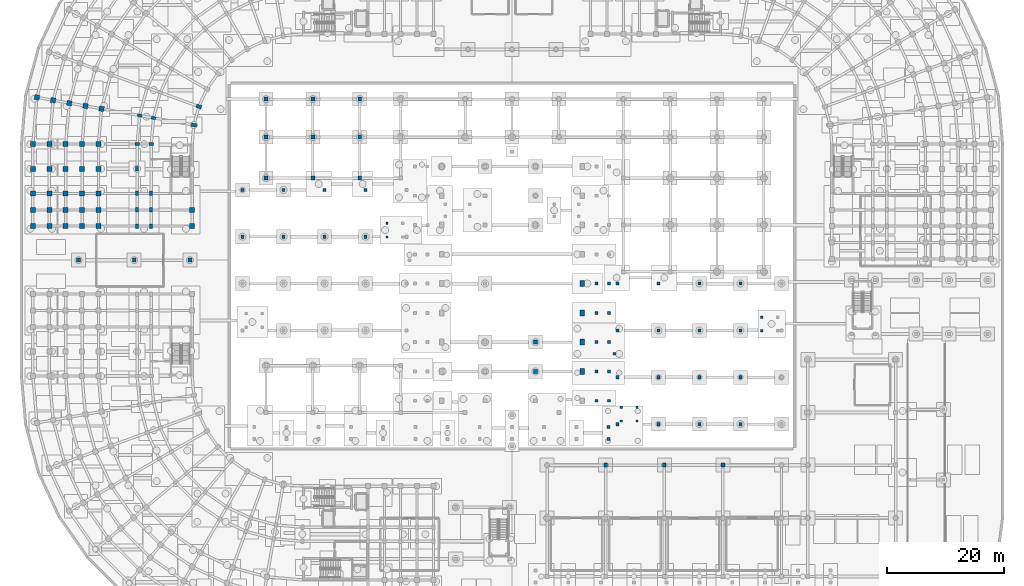
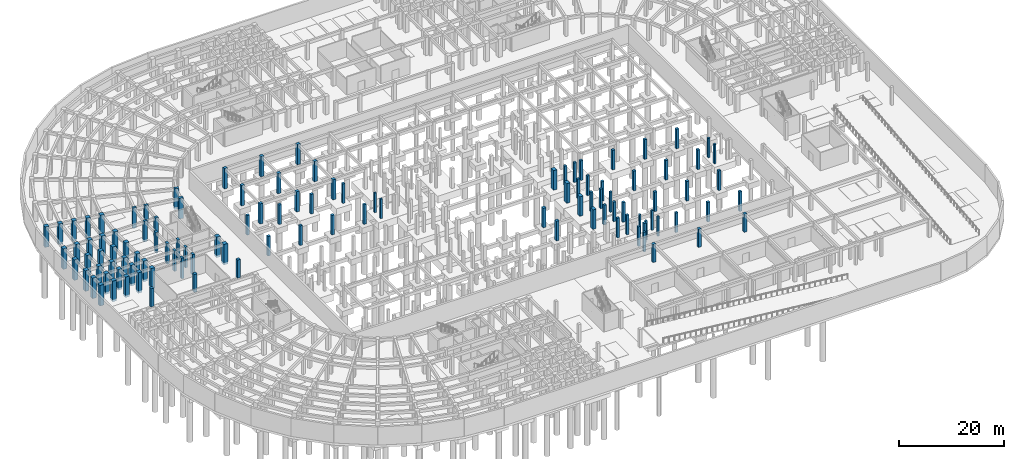
# One storey, part 14 of 53: 111 columns.
"""IFC4 building model written with IfcOpenShell, lengths in metres."""

from ifc_helpers import new_model, si_unit, direction, frame, origin, origin_2d, place, context, subcontext, project, spatial, rectangle, extrude, material, material_profile, profile_set, type_object, element, save


model = new_model("IFC4")

# Units and contexts
model_context = context("Model", 3, precision=1e-05, world=origin(), true_north=direction((0.0, 1.0)))
body_context = subcontext(model_context, "Body", "Model", "MODEL_VIEW")
ifc_project = project(units=[si_unit("LENGTHUNIT", "METRE"), si_unit("AREAUNIT", "SQUARE_METRE"), si_unit("VOLUMEUNIT", "CUBIC_METRE"), si_unit("PLANEANGLEUNIT", "RADIAN"), si_unit("MASSUNIT", "GRAM", prefix="KILO")], contexts=[model_context])

# Site, building, storey
site_placement = place(None, origin())
site = spatial("IfcSite", under=ifc_project, at=site_placement, CompositionType="ELEMENT")
building_placement = place(site_placement, origin())
building = spatial("IfcBuilding", under=site, at=building_placement, Name="Kiranvali Square Residences", CompositionType="ELEMENT")
storey_placement = place(building_placement, frame((0.0, 0.0, -4.5)))
storey = spatial("IfcBuildingStorey", under=building, at=storey_placement, Name="B1", CompositionType="ELEMENT", Elevation=-4.5)

# Columns
ifc_material_1 = material(Name="Concrete M40 (40 MPa)", Category="concrete")
ifc_material_profile_1 = material_profile(ifc_material_1, rectangle(XDim=0.39990234375, YDim=0.39990234375, at=origin_2d()), Name="RC 400x400")
ifc_profile_set_1 = profile_set([ifc_material_profile_1], Name="Concrete M40 (40 MPa)")
column_type_1 = type_object("IfcColumnType", Name="COL-M40-400", PredefinedType="COLUMN", material=ifc_profile_set_1)
for number, where, z_axis, x_axis, name in (
    (1, (62.64990234375, 71.949951171875, -0.5), (0.0, 0.0, 1.0), (1.0, 0.0, 0.0), "ST-NR2 B1 substructure support column 1"),
    (2, (62.64990234375, 74.280029296875, -0.5), (0.0, 0.0, 1.0), (1.0, 0.0, 0.0), "ST-NR2 B1 substructure support column 3"),
    (3, (102.64990234375, 40.550048828125, -0.5), (0.0, 0.0, 1.0), (1.0, 0.0, 0.0), "ST-RT1 B1 substructure support column 1"),
    (4, (105.35009765625, 40.550048828125, -0.5), (0.0, 0.0, 1.0), (1.0, 0.0, 0.0), "ST-RT1 B1 substructure support column 2"),
    (5, (102.64990234375, 42.8798828125, -0.5), (0.0, 0.0, 1.0), (1.0, 0.0, 0.0), "ST-RT1 B1 substructure support column 3"),
    (6, (105.35009765625, 42.8798828125, -0.5), (0.0, 0.0, 1.0), (1.0, 0.0, 0.0), "ST-RT1 B1 substructure support column 4"),
    (7, (126.64990234375, 55.949951171875, -0.5), (0.0, 0.0, 1.0), (1.0, 0.0, 0.0), "ST-RT2 B1 substructure support column 1"),
    (8, (126.64990234375, 58.280029296875, -0.5), (0.0, 0.0, 1.0), (1.0, 0.0, 0.0), "ST-RT2 B1 substructure support column 3"),
):
    element("IfcColumn", number, at=place(storey_placement, frame(where, z_axis=z_axis, x_axis=x_axis)), inside=storey, type_object=column_type_1, Name=name, PredefinedType="COLUMN", context=body_context, shape_type="SweptSolid", body=[
        extrude(rectangle(XDim=0.39990234375, YDim=0.39990234375, at=origin_2d()), origin(), (0.0, 0.0, 1.0), 4.550048828125),
    ])
ifc_material_profile_2 = material_profile(ifc_material_1, rectangle(XDim=0.449951171875, YDim=0.449951171875, at=origin_2d()), Name="RC 450x450")
ifc_profile_set_2 = profile_set([ifc_material_profile_2], Name="Concrete M40 (40 MPa)")
column_type_2 = type_object("IfcColumnType", Name="COL-M40-450", PredefinedType="COLUMN", material=ifc_profile_set_2)
column_placement = place(storey_placement, frame((101.5, 52.0, -0.5), z_axis=(0.0, 0.0, 1.0), x_axis=(1.0, 0.0, 0.0)))
element("IfcColumn", 9, at=column_placement, inside=storey, type_object=column_type_2, Name="Courtyard ramp substructure column 3", PredefinedType="COLUMN", context=body_context, shape_type="SweptSolid", body=[
    extrude(rectangle(XDim=0.449951171875, YDim=0.449951171875, at=origin_2d()), origin(), (0.0, 0.0, 1.0), 4.699951171875),
])
ifc_material_profile_3 = material_profile(ifc_material_1, rectangle(XDim=0.5, YDim=0.5, at=origin_2d()), Name="RC 500x500")
ifc_profile_set_3 = profile_set([ifc_material_profile_3], Name="Concrete M40 (40 MPa)")
column_type_3 = type_object("IfcColumnType", Name="COL-M40-500", PredefinedType="COLUMN", material=ifc_profile_set_3)
for number, where, z_axis, x_axis, name in (
    (10, (100.5, 37.449951171875, -0.5), (0.0, 0.0, 1.0), (1.0, 0.0, 0.0), "Garden colonnade B1 outer support column ARC-GDN-S-12A"),
    (11, (100.5, 39.550048828125, -0.5), (0.0, 0.0, 1.0), (1.0, 0.0, 0.0), "Garden colonnade B1 inner support column ARC-GDN-S-12B"),
    (12, (98.449951171875, 44.0, -0.5), (0.0, 0.0, 1.0), (1.0, 0.0, 0.0), "Garden colonnade B1 outer support column ARC-GDN-E-1A"),
    (13, (100.550048828125, 44.0, -0.5), (0.0, 0.0, 1.0), (1.0, 0.0, 0.0), "Garden colonnade B1 inner support column ARC-GDN-E-1B"),
    (14, (98.449951171875, 49.0, -0.5), (0.0, 0.0, 1.0), (1.0, 0.0, 0.0), "Garden colonnade B1 outer support column ARC-GDN-E-2A"),
    (15, (100.550048828125, 49.0, -0.5), (0.0, 0.0, 1.0), (1.0, 0.0, 0.0), "Garden colonnade B1 inner support column ARC-GDN-E-2B"),
    (16, (98.449951171875, 54.0, -0.5), (0.0, 0.0, 1.0), (1.0, 0.0, 0.0), "Garden colonnade B1 outer support column ARC-GDN-E-3A"),
    (17, (100.550048828125, 54.0, -0.5), (0.0, 0.0, 1.0), (1.0, 0.0, 0.0), "Garden colonnade B1 inner support column ARC-GDN-E-3B"),
    (18, (98.449951171875, 59.0, -0.5), (0.0, 0.0, 1.0), (1.0, 0.0, 0.0), "Garden colonnade B1 outer support column ARC-GDN-E-4A"),
    (19, (100.550048828125, 59.0, -0.5), (0.0, 0.0, 1.0), (1.0, 0.0, 0.0), "Garden colonnade B1 inner support column ARC-GDN-E-4B"),
    (20, (98.449951171875, 64.0, -0.5), (0.0, 0.0, 1.0), (1.0, 0.0, 0.0), "Garden colonnade B1 outer support column ARC-GDN-E-5A"),
    (21, (100.550048828125, 64.0, -0.5), (0.0, 0.0, 1.0), (1.0, 0.0, 0.0), "Garden colonnade B1 inner support column ARC-GDN-E-5B"),
):
    element("IfcColumn", number, at=place(storey_placement, frame(where, z_axis=z_axis, x_axis=x_axis)), inside=storey, type_object=column_type_3, Name=name, PredefinedType="COLUMN", context=body_context, shape_type="SweptSolid", body=[
        extrude(rectangle(XDim=0.5, YDim=0.5, at=origin_2d()), origin(), (0.0, 0.0, 1.0), 4.550048828125),
    ])
ifc_material_profile_4 = material_profile(ifc_material_1, rectangle(XDim=0.550048828125, YDim=0.550048828125, at=origin_2d()), Name="RC 550x550")
ifc_profile_set_4 = profile_set([ifc_material_profile_4], Name="Concrete M40 (40 MPa)")
column_type_4 = type_object("IfcColumnType", Name="COL-M40-550", PredefinedType="COLUMN", material=ifc_profile_set_4)
for number, where, z_axis, x_axis, name in (
    (22, (38.0, 72.0, -0.5), (0.0, 0.0, 1.0), (1.0, 0.0, 0.0), "Nursery Pavilion B1 substructure column 0-2"),
    (23, (38.0, 80.0, -0.5), (0.0, 0.0, 1.0), (1.0, 0.0, 0.0), "Nursery Pavilion B1 substructure column 0-3"),
    (24, (45.0, 72.0, -0.5), (0.0, 0.0, 1.0), (1.0, 0.0, 0.0), "Nursery Pavilion B1 substructure column 1-2"),
    (25, (45.0, 80.0, -0.5), (0.0, 0.0, 1.0), (1.0, 0.0, 0.0), "Nursery Pavilion B1 substructure column 1-3"),
    (26, (52.0, 72.0, -0.5), (0.0, 0.0, 1.0), (1.0, 0.0, 0.0), "Nursery Pavilion B1 substructure column 2-2"),
    (27, (52.0, 80.0, -0.5), (0.0, 0.0, 1.0), (1.0, 0.0, 0.0), "Nursery Pavilion B1 substructure column 2-3"),
    (28, (59.0, 72.0, -0.5), (0.0, 0.0, 1.0), (1.0, 0.0, 0.0), "Nursery Pavilion B1 substructure column 3-2"),
    (29, (59.0, 80.0, -0.5), (0.0, 0.0, 1.0), (1.0, 0.0, 0.0), "Nursery Pavilion B1 substructure column 3-3"),
    (30, (102.0, 40.0, -0.5), (0.0, 0.0, 1.0), (1.0, 0.0, 0.0), "Southeast Square Retail Pavilion B1 substructure column 0-0"),
    (31, (102.0, 48.0, -0.5), (0.0, 0.0, 1.0), (1.0, 0.0, 0.0), "Southeast Square Retail Pavilion B1 substructure column 0-1"),
    (32, (102.0, 56.0, -0.5), (0.0, 0.0, 1.0), (1.0, 0.0, 0.0), "Southeast Square Retail Pavilion B1 substructure column 0-2"),
    (33, (102.0, 64.0, -0.5), (0.0, 0.0, 1.0), (1.0, 0.0, 0.0), "Southeast Square Retail Pavilion B1 substructure column 0-3"),
    (34, (109.0, 40.0, -0.5), (0.0, 0.0, 1.0), (1.0, 0.0, 0.0), "Southeast Square Retail Pavilion B1 substructure column 1-0"),
    (35, (109.0, 48.0, -0.5), (0.0, 0.0, 1.0), (1.0, 0.0, 0.0), "Southeast Square Retail Pavilion B1 substructure column 1-1"),
    (36, (109.0, 56.0, -0.5), (0.0, 0.0, 1.0), (1.0, 0.0, 0.0), "Southeast Square Retail Pavilion B1 substructure column 1-2"),
    (37, (109.0, 64.0, -0.5), (0.0, 0.0, 1.0), (1.0, 0.0, 0.0), "Southeast Square Retail Pavilion B1 substructure column 1-3"),
    (38, (116.0, 40.0, -0.5), (0.0, 0.0, 1.0), (1.0, 0.0, 0.0), "Southeast Square Retail Pavilion B1 substructure column 2-0"),
    (39, (116.0, 48.0, -0.5), (0.0, 0.0, 1.0), (1.0, 0.0, 0.0), "Southeast Square Retail Pavilion B1 substructure column 2-1"),
    (40, (116.0, 56.0, -0.5), (0.0, 0.0, 1.0), (1.0, 0.0, 0.0), "Southeast Square Retail Pavilion B1 substructure column 2-2"),
    (41, (116.0, 64.0, -0.5), (0.0, 0.0, 1.0), (1.0, 0.0, 0.0), "Southeast Square Retail Pavilion B1 substructure column 2-3"),
    (42, (123.0, 40.0, -0.5), (0.0, 0.0, 1.0), (1.0, 0.0, 0.0), "Southeast Square Retail Pavilion B1 substructure column 3-0"),
    (43, (123.0, 48.0, -0.5), (0.0, 0.0, 1.0), (1.0, 0.0, 0.0), "Southeast Square Retail Pavilion B1 substructure column 3-1"),
    (44, (123.0, 56.0, -0.5), (0.0, 0.0, 1.0), (1.0, 0.0, 0.0), "Southeast Square Retail Pavilion B1 substructure column 3-2"),
    (45, (123.0, 64.0, -0.5), (0.0, 0.0, 1.0), (1.0, 0.0, 0.0), "Southeast Square Retail Pavilion B1 substructure column 3-3"),
):
    element("IfcColumn", number, at=place(storey_placement, frame(where, z_axis=z_axis, x_axis=x_axis)), inside=storey, type_object=column_type_4, Name=name, PredefinedType="COLUMN", context=body_context, shape_type="SweptSolid", body=[
        extrude(rectangle(XDim=0.550048828125, YDim=0.550048828125, at=origin_2d()), origin(), (0.0, 0.0, 1.0), 4.550048828125),
    ])
ifc_material_2 = material(Name="Concrete M45 (45 MPa)", Category="concrete")
ifc_material_profile_5 = material_profile(ifc_material_2, rectangle(XDim=0.699951171875, YDim=1.0, at=origin_2d()), Name="RC 1000x700")
ifc_profile_set_5 = profile_set([ifc_material_profile_5], Name="Concrete M45 (45 MPa)")
column_type_5 = type_object("IfcColumnType", Name="COL-M45-1000x700", PredefinedType="COLUMN", material=ifc_profile_set_5)
for number, where, z_axis, x_axis, name in (
    (46, (96.0, 49.0, -0.5), (0.0, 0.0, 1.0), (1.0, 0.0, 0.0), "Community Hall substructure pier E2 B1"),
    (47, (96.0, 54.0, -0.5), (0.0, 0.0, 1.0), (1.0, 0.0, 0.0), "Community Hall substructure pier E3 B1"),
    (48, (96.0, 59.0, -0.5), (0.0, 0.0, 1.0), (1.0, 0.0, 0.0), "Community Hall substructure pier E4 B1"),
    (49, (96.0, 64.0, -0.5), (0.0, 0.0, 1.0), (1.0, 0.0, 0.0), "Community Hall substructure pier E5 B1"),
):
    element("IfcColumn", number, at=place(storey_placement, frame(where, z_axis=z_axis, x_axis=x_axis)), inside=storey, type_object=column_type_5, Name=name, PredefinedType="COLUMN", context=body_context, shape_type="SweptSolid", body=[
        extrude(rectangle(XDim=0.699951171875, YDim=1.0, at=origin_2d()), origin(), (0.0, 0.0, 1.0), 4.550048828125),
    ])
ifc_material_profile_6 = material_profile(ifc_material_2, rectangle(XDim=0.64990234375, YDim=0.64990234375, at=origin_2d()), Name="RC 650x650")
ifc_profile_set_6 = profile_set([ifc_material_profile_6], Name="Concrete M45 (45 MPa)")
column_type_6 = type_object("IfcColumnType", Name="COL-M45-650", PredefinedType="COLUMN", material=ifc_profile_set_6)
for number, where, z_axis, x_axis, name in (
    (50, (10.0, 68.0, 0.0), (0.0, 0.0, 1.0), (1.0, 0.0, 0.0), "Basement square substructure column APR-16"),
    (51, (19.5, 68.0, 0.0), (0.0, 0.0, 1.0), (1.0, 0.0, 0.0), "Basement square substructure column APR-17"),
    (52, (29.0, 68.0, 0.0), (0.0, 0.0, 1.0), (1.0, 0.0, 0.0), "Basement square substructure column APR-18"),
    (53, (100.0, 33.0, 0.0), (0.0, 0.0, 1.0), (1.0, 0.0, 0.0), "Basement square substructure column APR-34"),
    (54, (110.0, 33.0, 0.0), (0.0, 0.0, 1.0), (1.0, 0.0, 0.0), "Basement square substructure column APR-35"),
    (55, (120.0, 33.0, 0.0), (0.0, 0.0, 1.0), (1.0, 0.0, 0.0), "Basement square substructure column APR-36"),
):
    element("IfcColumn", number, at=place(storey_placement, frame(where, z_axis=z_axis, x_axis=x_axis)), inside=storey, type_object=column_type_6, Name=name, PredefinedType="COLUMN", context=body_context, shape_type="SweptSolid", body=[
        extrude(rectangle(XDim=0.64990234375, YDim=0.64990234375, at=origin_2d()), origin(), (0.0, 0.0, 1.0), 4.199951171875),
    ])
for number, where, z_axis, x_axis, name in (
    (56, (42.0, 82.0, -0.5), (0.0, 0.0, 1.0), (1.0, 0.0, 0.0), "Central garden deck substructure column GDN-03"),
    (57, (42.0, 89.0, -0.5), (0.0, 0.0, 1.0), (1.0, 0.0, 0.0), "Central garden deck substructure column GDN-04"),
    (58, (42.0, 95.5, -0.5), (0.0, 0.0, 1.0), (1.0, 0.0, 0.0), "Central garden deck substructure column GDN-05"),
    (59, (50.0, 82.0, -0.5), (0.0, 0.0, 1.0), (1.0, 0.0, 0.0), "Central garden deck substructure column GDN-08"),
    (60, (50.0, 89.0, -0.5), (0.0, 0.0, 1.0), (1.0, 0.0, 0.0), "Central garden deck substructure column GDN-09"),
    (61, (50.0, 95.5, -0.5), (0.0, 0.0, 1.0), (1.0, 0.0, 0.0), "Central garden deck substructure column GDN-10"),
    (62, (58.0, 82.0, -0.5), (0.0, 0.0, 1.0), (1.0, 0.0, 0.0), "Central garden deck substructure column GDN-13"),
    (63, (58.0, 89.0, -0.5), (0.0, 0.0, 1.0), (1.0, 0.0, 0.0), "Central garden deck substructure column GDN-14"),
    (64, (58.0, 95.5, -0.5), (0.0, 0.0, 1.0), (1.0, 0.0, 0.0), "Central garden deck substructure column GDN-15"),
):
    element("IfcColumn", number, at=place(storey_placement, frame(where, z_axis=z_axis, x_axis=x_axis)), inside=storey, type_object=column_type_6, Name=name, PredefinedType="COLUMN", context=body_context, shape_type="SweptSolid", body=[
        extrude(rectangle(XDim=0.64990234375, YDim=0.64990234375, at=origin_2d()), origin(), (0.0, 0.0, 1.0), 4.699951171875),
    ])
for number, where, z_axis, x_axis, name in (
    (65, (88.0, 49.0, -0.5), (0.0, 0.0, 1.0), (1.0, 0.0, 0.0), "Community Hall gallery substructure column 88.0-49.0"),
    (66, (88.0, 54.0, -0.5), (0.0, 0.0, 1.0), (1.0, 0.0, 0.0), "Community Hall gallery substructure column 88.0-54.0"),
):
    element("IfcColumn", number, at=place(storey_placement, frame(where, z_axis=z_axis, x_axis=x_axis)), inside=storey, type_object=column_type_6, Name=name, PredefinedType="COLUMN", context=body_context, shape_type="SweptSolid", body=[
        extrude(rectangle(XDim=0.64990234375, YDim=0.64990234375, at=origin_2d()), origin(), (0.0, 0.0, 1.0), 4.550048828125),
    ])
ifc_material_profile_7 = material_profile(ifc_material_2, rectangle(XDim=0.5, YDim=0.75, at=origin_2d()), Name="RC 750x500")
ifc_profile_set_7 = profile_set([ifc_material_profile_7], Name="Concrete M45 (45 MPa)")
column_type_7 = type_object("IfcColumnType", Name="COL-M45-750x500", PredefinedType="COLUMN", material=ifc_profile_set_7)
for number, where, z_axis, x_axis, name in (
    (67, (22.7919921875, 92.280029296875, -0.5), (0.0, 0.0, 1.0), (0.173648177667, 0.984807753012, 0.0), "Block A B1 radial column A08-R1"),
    (68, (20.428466796875, 92.69677734375, -0.5), (0.0, 0.0, 1.0), (0.173648177667, 0.984807753012, 0.0), "Block A B1 radial column A08-R2"),
    (69, (22.39990234375, 87.800048828125, -0.5), (0.0, 0.0, 1.0), (0.0, 1.0, 0.0), "Block A B1 radial column A09-R1"),
    (70, (20.0, 87.800048828125, -0.5), (0.0, 0.0, 1.0), (0.0, 1.0, 0.0), "Block A B1 radial column A09-R2"),
    (71, (20.0, 83.60009765625, -0.5), (0.0, 0.0, 1.0), (1.0, 0.0, 0.0), "Block A B1 Arm 2 mid-core column V0-R2"),
    (72, (22.39990234375, 79.39990234375, -0.5), (0.0, 0.0, 1.0), (1.0, 0.0, 0.0), "Block A B1 Arm 2 column V1-R1"),
    (73, (20.0, 79.39990234375, -0.5), (0.0, 0.0, 1.0), (1.0, 0.0, 0.0), "Block A B1 Arm 2 column V1-R2"),
    (74, (22.39990234375, 76.60009765625, -0.5), (0.0, 0.0, 1.0), (1.0, 0.0, 0.0), "Block A B1 Arm 2 column V2-R1"),
    (75, (20.0, 76.60009765625, -0.5), (0.0, 0.0, 1.0), (1.0, 0.0, 0.0), "Block A B1 Arm 2 column V2-R2"),
    (76, (22.39990234375, 73.800048828125, -0.5), (0.0, 0.0, 1.0), (1.0, 0.0, 0.0), "Block A B1 Arm 2 column V3-R1"),
    (77, (20.0, 73.800048828125, -0.5), (0.0, 0.0, 1.0), (1.0, 0.0, 0.0), "Block A B1 Arm 2 column V3-R2"),
):
    element("IfcColumn", number, at=place(storey_placement, frame(where, z_axis=z_axis, x_axis=x_axis)), inside=storey, type_object=column_type_7, Name=name, PredefinedType="COLUMN", context=body_context, shape_type="SweptSolid", body=[
        extrude(rectangle(XDim=0.5, YDim=0.75, at=origin_2d()), origin(), (0.0, 0.0, 1.0), 4.780029296875),
    ])
ifc_material_3 = material(Name="Concrete M50 (50 MPa)", Category="concrete")
ifc_material_profile_8 = material_profile(ifc_material_3, rectangle(XDim=0.85009765625, YDim=0.85009765625, at=origin_2d()), Name="RC 850x850")
ifc_profile_set_8 = profile_set([ifc_material_profile_8], Name="Concrete M50 (50 MPa)")
column_type_8 = type_object("IfcColumnType", Name="COL-M50-850", PredefinedType="COLUMN", material=ifc_profile_set_8)
for number, where, z_axis, x_axis, name in (
    (78, (13.9287109375, 93.843017578125, -0.5), (0.0, 0.0, 1.0), (0.173648177667, 0.984807753012, 0.0), "Block A B1 radial column A08-R3"),
    (79, (11.171142578125, 94.3291015625, -0.5), (0.0, 0.0, 1.0), (0.173648177667, 0.984807753012, 0.0), "Block A B1 radial column A08-R4"),
    (80, (8.413818359375, 94.8154296875, -0.5), (0.0, 0.0, 1.0), (0.173648177667, 0.984807753012, 0.0), "Block A B1 radial column A08-R5"),
    (81, (5.65625, 95.301513671875, -0.5), (0.0, 0.0, 1.0), (0.173648177667, 0.984807753012, 0.0), "Block A B1 radial column A08-R6"),
    (82, (2.89892578125, 95.787841796875, -0.5), (0.0, 0.0, 1.0), (0.173648177667, 0.984807753012, 0.0), "Block A B1 radial column A08-R7"),
    (83, (13.39990234375, 87.800048828125, -0.5), (0.0, 0.0, 1.0), (0.0, 1.0, 0.0), "Block A B1 radial column A09-R3"),
    (84, (10.60009765625, 87.800048828125, -0.5), (0.0, 0.0, 1.0), (0.0, 1.0, 0.0), "Block A B1 radial column A09-R4"),
    (85, (7.800048828125, 87.800048828125, -0.5), (0.0, 0.0, 1.0), (0.0, 1.0, 0.0), "Block A B1 radial column A09-R5"),
    (86, (5.0, 87.800048828125, -0.5), (0.0, 0.0, 1.0), (0.0, 1.0, 0.0), "Block A B1 radial column A09-R6"),
    (87, (2.199951171875, 87.800048828125, -0.5), (0.0, 0.0, 1.0), (0.0, 1.0, 0.0), "Block A B1 radial column A09-R7"),
    (88, (13.39990234375, 83.60009765625, -0.5), (0.0, 0.0, 1.0), (1.0, 0.0, 0.0), "Block A B1 Arm 2 mid-core column V0-R3"),
    (89, (10.60009765625, 83.60009765625, -0.5), (0.0, 0.0, 1.0), (1.0, 0.0, 0.0), "Block A B1 Arm 2 mid-core column V0-R4"),
    (90, (7.800048828125, 83.60009765625, -0.5), (0.0, 0.0, 1.0), (1.0, 0.0, 0.0), "Block A B1 Arm 2 mid-core column V0-R5"),
    (91, (5.0, 83.60009765625, -0.5), (0.0, 0.0, 1.0), (1.0, 0.0, 0.0), "Block A B1 Arm 2 mid-core column V0-R6"),
    (92, (2.199951171875, 83.60009765625, -0.5), (0.0, 0.0, 1.0), (1.0, 0.0, 0.0), "Block A B1 Arm 2 mid-core column V0-R7"),
    (93, (13.39990234375, 79.39990234375, -0.5), (0.0, 0.0, 1.0), (1.0, 0.0, 0.0), "Block A B1 Arm 2 column V1-R3"),
    (94, (10.60009765625, 79.39990234375, -0.5), (0.0, 0.0, 1.0), (1.0, 0.0, 0.0), "Block A B1 Arm 2 column V1-R4"),
    (95, (7.800048828125, 79.39990234375, -0.5), (0.0, 0.0, 1.0), (1.0, 0.0, 0.0), "Block A B1 Arm 2 column V1-R5"),
    (96, (5.0, 79.39990234375, -0.5), (0.0, 0.0, 1.0), (1.0, 0.0, 0.0), "Block A B1 Arm 2 column V1-R6"),
    (97, (2.199951171875, 79.39990234375, -0.5), (0.0, 0.0, 1.0), (1.0, 0.0, 0.0), "Block A B1 Arm 2 column V1-R7"),
    (98, (29.39990234375, 76.60009765625, -0.5), (0.0, 0.0, 1.0), (1.0, 0.0, 0.0), "Block A B1 Arm 2 column V2-R0"),
    (99, (13.39990234375, 76.60009765625, -0.5), (0.0, 0.0, 1.0), (1.0, 0.0, 0.0), "Block A B1 Arm 2 column V2-R3"),
    (100, (10.60009765625, 76.60009765625, -0.5), (0.0, 0.0, 1.0), (1.0, 0.0, 0.0), "Block A B1 Arm 2 column V2-R4"),
    (101, (7.800048828125, 76.60009765625, -0.5), (0.0, 0.0, 1.0), (1.0, 0.0, 0.0), "Block A B1 Arm 2 column V2-R5"),
    (102, (5.0, 76.60009765625, -0.5), (0.0, 0.0, 1.0), (1.0, 0.0, 0.0), "Block A B1 Arm 2 column V2-R6"),
    (103, (2.199951171875, 76.60009765625, -0.5), (0.0, 0.0, 1.0), (1.0, 0.0, 0.0), "Block A B1 Arm 2 column V2-R7"),
    (104, (29.39990234375, 73.800048828125, -0.5), (0.0, 0.0, 1.0), (1.0, 0.0, 0.0), "Block A B1 Arm 2 column V3-R0"),
    (105, (13.39990234375, 73.800048828125, -0.5), (0.0, 0.0, 1.0), (1.0, 0.0, 0.0), "Block A B1 Arm 2 column V3-R3"),
    (106, (10.60009765625, 73.800048828125, -0.5), (0.0, 0.0, 1.0), (1.0, 0.0, 0.0), "Block A B1 Arm 2 column V3-R4"),
    (107, (7.800048828125, 73.800048828125, -0.5), (0.0, 0.0, 1.0), (1.0, 0.0, 0.0), "Block A B1 Arm 2 column V3-R5"),
    (108, (5.0, 73.800048828125, -0.5), (0.0, 0.0, 1.0), (1.0, 0.0, 0.0), "Block A B1 Arm 2 column V3-R6"),
    (109, (2.199951171875, 73.800048828125, -0.5), (0.0, 0.0, 1.0), (1.0, 0.0, 0.0), "Block A B1 Arm 2 column V3-R7"),
):
    element("IfcColumn", number, at=place(storey_placement, frame(where, z_axis=z_axis, x_axis=x_axis)), inside=storey, type_object=column_type_8, Name=name, PredefinedType="COLUMN", context=body_context, shape_type="SweptSolid", body=[
        extrude(rectangle(XDim=0.85009765625, YDim=0.85009765625, at=origin_2d()), origin(), (0.0, 0.0, 1.0), 4.780029296875),
    ])
ifc_material_profile_9 = material_profile(ifc_material_3, rectangle(XDim=0.60009765625, YDim=0.89990234375, at=origin_2d()), Name="RC 900x600")
ifc_profile_set_9 = profile_set([ifc_material_profile_9], Name="Concrete M50 (50 MPa)")
column_type_9 = type_object("IfcColumnType", Name="COL-M50-900x600", PredefinedType="COLUMN", material=ifc_profile_set_9)
for number, where, z_axis, x_axis, name in (
    (110, (30.53369140625, 94.22998046875, -0.5), (0.0, 0.0, 1.0), (0.342020143326, 0.939692620786, 0.0), "Block A B1 radial column A07-R0"),
    (111, (29.685546875, 91.064697265625, -0.5), (0.0, 0.0, 1.0), (0.173648177667, 0.984807753012, 0.0), "Block A B1 radial column A08-R0"),
):
    element("IfcColumn", number, at=place(storey_placement, frame(where, z_axis=z_axis, x_axis=x_axis)), inside=storey, type_object=column_type_9, Name=name, PredefinedType="COLUMN", context=body_context, shape_type="SweptSolid", body=[
        extrude(rectangle(XDim=0.60009765625, YDim=0.89990234375, at=origin_2d()), origin(), (0.0, 0.0, 1.0), 4.780029296875),
    ])

save(model, "model.ifc")
